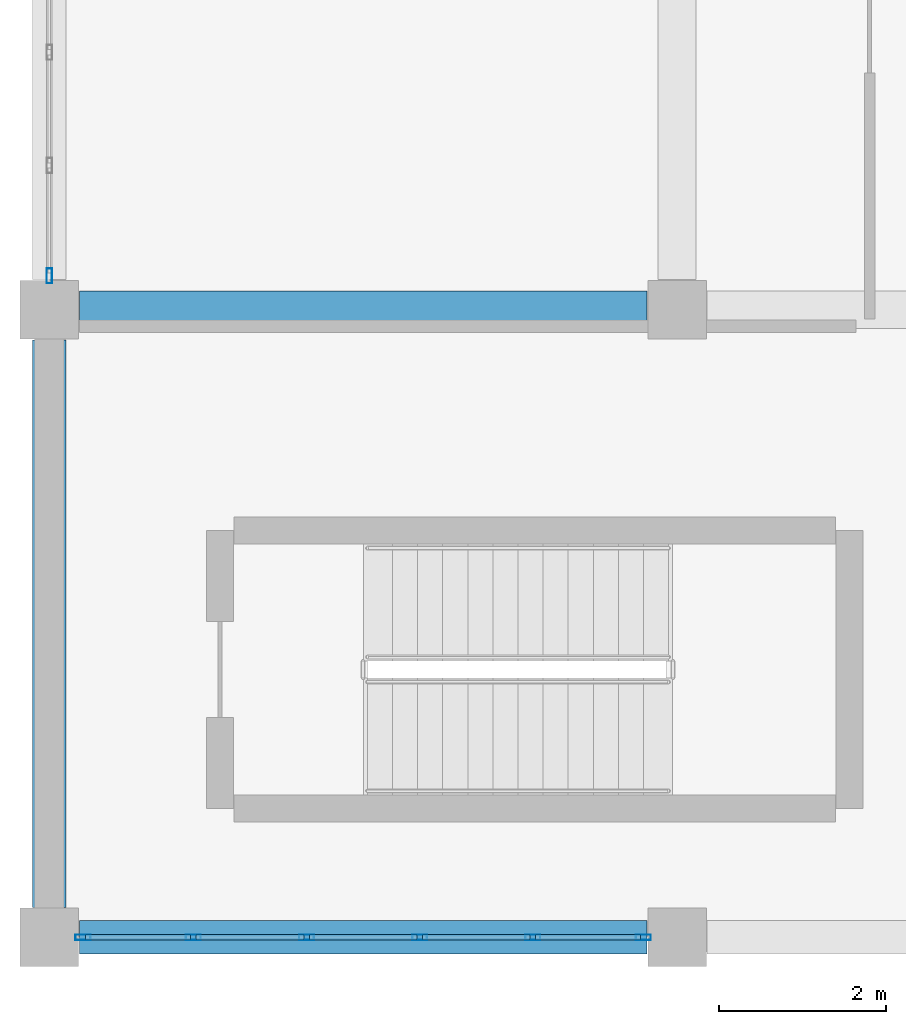
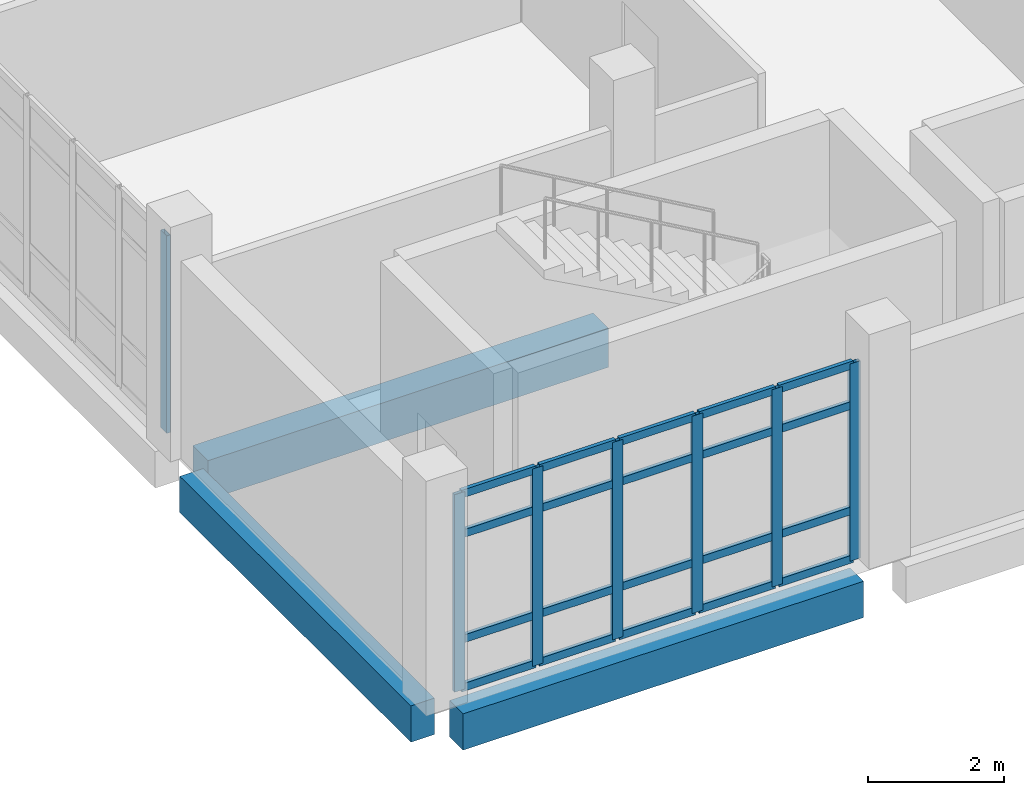
# One storey, part 14 of 164: 27 members, 3 beams, 2 elements without a shape of their own.
"""IFC4 building model written with IfcOpenShell, lengths in metres."""

from ifc_helpers import new_model, si_unit, direction, frame, origin, origin_2d, place, context, subcontext, project, spatial, rectangle, hollow_rectangle, extrude, material, layer, layer_set, material_profile, profile_set, type_object, element, aggregate, save


model = new_model("IFC4")

# Units and contexts
model_context = context("Model", 3, precision=1e-05, world=origin(), true_north=direction((0.0, 1.0)))
body_context = subcontext(model_context, "Body", "Model", "MODEL_VIEW")
ifc_project = project(units=[si_unit("LENGTHUNIT", "METRE"), si_unit("AREAUNIT", "SQUARE_METRE"), si_unit("VOLUMEUNIT", "CUBIC_METRE"), si_unit("PLANEANGLEUNIT", "RADIAN"), si_unit("MASSUNIT", "GRAM", prefix="KILO")], contexts=[model_context])

# Site, building, storey
site_placement = place(None, origin())
site = spatial("IfcSite", under=ifc_project, at=site_placement, CompositionType="ELEMENT")
building_placement = place(site_placement, origin())
building = spatial("IfcBuilding", under=site, at=building_placement, Name="Mawjan Specialist Oncology Clinic", CompositionType="ELEMENT")
storey_placement = place(building_placement, frame((0.0, 0.0, 5.0)))
storey = spatial("IfcBuildingStorey", under=building, at=storey_placement, Name="L01", CompositionType="ELEMENT", Elevation=5.0)

# Beam
ifc_material_1 = material(Name="Concrete C40/50", Category="concrete")
ifc_material_profile_1 = material_profile(ifc_material_1, rectangle(XDim=0.449951171875, YDim=0.699951171875, at=origin_2d()), Name="RC BM 450x700", Category="concrete")
ifc_profile_set_1 = profile_set([ifc_material_profile_1], Name="Concrete C40/50")
beam_type_1 = type_object("IfcBeamType", Name="BM-450x700", PredefinedType="BEAM", material=ifc_profile_set_1)
beam_1_placement = place(storey_placement, frame((0.360107421875, 8.300048828125, -0.64990234375), z_axis=(1.0, 0.0, 0.0), x_axis=(0.0, 1.0, 0.0)))
element("IfcBeam", 1, at=beam_1_placement, inside=storey, type_object=beam_type_1, Name="L01 Collector Beam BM-L01-0231", PredefinedType="BEAM", context=body_context, shape_type="SweptSolid", body=[
    extrude(rectangle(XDim=0.449951171875, YDim=0.699951171875, at=origin_2d()), origin(), (0.0, 0.0, 1.0), 6.77978515625),
])

# Curtain wall, members
ifc_material_2 = material(Name="Unitised spectrally selective aluminium curtain wall", Category="aluminium")
ifc_layer = layer(ifc_material_2, 0.179931640625, Name="Unitised spectrally selective aluminium curtain wall", Category="aluminium")
ifc_layer_set = layer_set([ifc_layer], Name="Unitised spectrally selective aluminium curtain wall")
curtain_wall_type = type_object("IfcCurtainWallType", Name="CW-73", PredefinedType="NOTDEFINED", material=ifc_layer_set)
curtain_wall_1_placement = place(storey_placement, origin())
curtain_wall_1 = element("IfcCurtainWall", 2, at=curtain_wall_1_placement, inside=storey, type_object=curtain_wall_type, Name="L01 Unitised Curtain Wall CW-L01-144", PredefinedType="NOTDEFINED")
ifc_material_3 = material(Name="Thermally broken aluminium 6063-T6", Category="aluminium")
ifc_material_profile_2 = material_profile(ifc_material_3, hollow_rectangle(XDim=0.06494140625, YDim=0.179931640625, WallThickness=0.00390625, at=origin_2d()), Name="ALU MULLION 180x65x4", Category="aluminium")
ifc_profile_set_2 = profile_set([ifc_material_profile_2], Name="Thermally broken aluminium 6063-T6")
member_type_1 = type_object("IfcMemberType", Name="CW-M180", PredefinedType="MULLION", material=ifc_profile_set_2)
member_1_placement = place(storey_placement, frame((7.097412109375, 0.800048828125, 0.0), z_axis=(0.0, 0.0, 1.0), x_axis=(0.0, -1.0, 0.0)))
member_1 = element("IfcMember", 3, at=member_1_placement, type_object=member_type_1, Name="CW-73 mullion 1", PredefinedType="MULLION", context=body_context, shape_type="SweptSolid", body=[
    extrude(hollow_rectangle(XDim=0.06494140625, YDim=0.179931640625, WallThickness=0.00390625, at=origin_2d()), origin(), (0.0, 0.0, 1.0), 3.534912109375),
])
member_2_placement = place(storey_placement, frame((5.778076171875, 0.800048828125, 0.0), z_axis=(0.0, 0.0, 1.0), x_axis=(0.0, -1.0, 0.0)))
member_2 = element("IfcMember", 4, at=member_2_placement, type_object=member_type_1, Name="CW-73 mullion 2", PredefinedType="MULLION", context=body_context, shape_type="SweptSolid", body=[
    extrude(hollow_rectangle(XDim=0.06494140625, YDim=0.179931640625, WallThickness=0.00390625, at=origin_2d()), origin(), (0.0, 0.0, 1.0), 3.534912109375),
])
member_3_placement = place(storey_placement, frame((4.426025390625, 0.800048828125, 0.0), z_axis=(0.0, 0.0, 1.0), x_axis=(0.0, -1.0, 0.0)))
member_3 = element("IfcMember", 5, at=member_3_placement, type_object=member_type_1, Name="CW-73 mullion 3", PredefinedType="MULLION", context=body_context, shape_type="SweptSolid", body=[
    extrude(hollow_rectangle(XDim=0.06494140625, YDim=0.179931640625, WallThickness=0.00390625, at=origin_2d()), origin(), (0.0, 0.0, 1.0), 3.534912109375),
])
member_4_placement = place(storey_placement, frame((3.073974609375, 0.800048828125, 0.0), z_axis=(0.0, 0.0, 1.0), x_axis=(0.0, -1.0, 0.0)))
member_4 = element("IfcMember", 6, at=member_4_placement, type_object=member_type_1, Name="CW-73 mullion 4", PredefinedType="MULLION", context=body_context, shape_type="SweptSolid", body=[
    extrude(hollow_rectangle(XDim=0.06494140625, YDim=0.179931640625, WallThickness=0.00390625, at=origin_2d()), origin(), (0.0, 0.0, 1.0), 3.534912109375),
])
member_5_placement = place(storey_placement, frame((1.721923828125, 0.800048828125, 0.0), z_axis=(0.0, 0.0, 1.0), x_axis=(0.0, -1.0, 0.0)))
member_5 = element("IfcMember", 7, at=member_5_placement, type_object=member_type_1, Name="CW-73 mullion 5", PredefinedType="MULLION", context=body_context, shape_type="SweptSolid", body=[
    extrude(hollow_rectangle(XDim=0.06494140625, YDim=0.179931640625, WallThickness=0.00390625, at=origin_2d()), origin(), (0.0, 0.0, 1.0), 3.534912109375),
])
member_6_placement = place(storey_placement, frame((0.402587890625, 0.800048828125, 0.0), z_axis=(0.0, 0.0, 1.0), x_axis=(0.0, -1.0, 0.0)))
member_6 = element("IfcMember", 8, at=member_6_placement, type_object=member_type_1, Name="CW-73 mullion 6", PredefinedType="MULLION", context=body_context, shape_type="SweptSolid", body=[
    extrude(hollow_rectangle(XDim=0.06494140625, YDim=0.179931640625, WallThickness=0.00390625, at=origin_2d()), origin(), (0.0, 0.0, 1.0), 3.534912109375),
])

# Curtain wall, member
curtain_wall_2_placement = place(storey_placement, origin())
curtain_wall_2 = element("IfcCurtainWall", 9, at=curtain_wall_2_placement, inside=storey, type_object=curtain_wall_type, Name="L01 Unitised Curtain Wall CW-L01-145", PredefinedType="NOTDEFINED")
member_7_placement = place(storey_placement, frame((0.0, 8.702392578125, 0.0), z_axis=(0.0, 0.0, 1.0), x_axis=(-1.0, 0.0, 0.0)))
member_7 = element("IfcMember", 10, at=member_7_placement, type_object=member_type_1, Name="CW-73 mullion 1", PredefinedType="MULLION", context=body_context, shape_type="SweptSolid", body=[
    extrude(hollow_rectangle(XDim=0.06494140625, YDim=0.179931640625, WallThickness=0.00390625, at=origin_2d()), origin(), (0.0, 0.0, 1.0), 3.534912109375),
])
aggregate(curtain_wall_2, [member_7])

# Member
ifc_material_4 = material(Name="Thermally broken aluminium 6063-T6", Category="aluminium")
ifc_material_profile_3 = material_profile(ifc_material_4, hollow_rectangle(XDim=0.06494140625, YDim=0.139892578125, WallThickness=0.00390625, at=origin_2d()), Name="ALU TRANSOM 140x65x4", Category="aluminium")
ifc_profile_set_3 = profile_set([ifc_material_profile_3], Name="Thermally broken aluminium 6063-T6")
member_type_2 = type_object("IfcMemberType", Name="CW-T140", PredefinedType="USERDEFINED", material=ifc_profile_set_3)
member_8_placement = place(storey_placement, frame((7.06494140625, 0.800048828125, 0.032470703125), z_axis=(-1.0, 0.0, 0.0), x_axis=(0.0, -1.0, 0.0)))
member_8 = element("IfcMember", 11, at=member_8_placement, type_object=member_type_2, Name="CW-73 transom 1.1", ObjectType="TRANSOM", PredefinedType="USERDEFINED", context=body_context, shape_type="SweptSolid", body=[
    extrude(hollow_rectangle(XDim=0.06494140625, YDim=0.139892578125, WallThickness=0.00390625, at=origin_2d()), origin(), (0.0, 0.0, 1.0), 1.25439453125),
])

member_9_placement = place(storey_placement, frame((7.06494140625, 0.800048828125, 0.89990234375), z_axis=(-1.0, 0.0, 0.0), x_axis=(0.0, -1.0, 0.0)))
member_9 = element("IfcMember", 12, at=member_9_placement, type_object=member_type_2, Name="CW-73 transom 1.2", ObjectType="TRANSOM", PredefinedType="USERDEFINED", context=body_context, shape_type="SweptSolid", body=[
    extrude(hollow_rectangle(XDim=0.06494140625, YDim=0.139892578125, WallThickness=0.00390625, at=origin_2d()), origin(), (0.0, 0.0, 1.0), 1.25439453125),
])

member_10_placement = place(storey_placement, frame((7.06494140625, 0.800048828125, 2.784912109375), z_axis=(-1.0, 0.0, 0.0), x_axis=(0.0, -1.0, 0.0)))
member_10 = element("IfcMember", 13, at=member_10_placement, type_object=member_type_2, Name="CW-73 transom 1.3", ObjectType="TRANSOM", PredefinedType="USERDEFINED", context=body_context, shape_type="SweptSolid", body=[
    extrude(hollow_rectangle(XDim=0.06494140625, YDim=0.139892578125, WallThickness=0.00390625, at=origin_2d()), origin(), (0.0, 0.0, 1.0), 1.25439453125),
])

member_11_placement = place(storey_placement, frame((7.06494140625, 0.800048828125, 3.50244140625), z_axis=(-1.0, 0.0, 0.0), x_axis=(0.0, -1.0, 0.0)))
member_11 = element("IfcMember", 14, at=member_11_placement, type_object=member_type_2, Name="CW-73 transom 1.4", ObjectType="TRANSOM", PredefinedType="USERDEFINED", context=body_context, shape_type="SweptSolid", body=[
    extrude(hollow_rectangle(XDim=0.06494140625, YDim=0.139892578125, WallThickness=0.00390625, at=origin_2d()), origin(), (0.0, 0.0, 1.0), 1.25439453125),
])

member_12_placement = place(storey_placement, frame((5.74560546875, 0.800048828125, 0.032470703125), z_axis=(-1.0, 0.0, 0.0), x_axis=(0.0, -1.0, 0.0)))
member_12 = element("IfcMember", 15, at=member_12_placement, type_object=member_type_2, Name="CW-73 transom 2.1", ObjectType="TRANSOM", PredefinedType="USERDEFINED", context=body_context, shape_type="SweptSolid", body=[
    extrude(hollow_rectangle(XDim=0.06494140625, YDim=0.139892578125, WallThickness=0.00390625, at=origin_2d()), origin(), (0.0, 0.0, 1.0), 1.287109375),
])

member_13_placement = place(storey_placement, frame((5.74560546875, 0.800048828125, 0.89990234375), z_axis=(-1.0, 0.0, 0.0), x_axis=(0.0, -1.0, 0.0)))
member_13 = element("IfcMember", 16, at=member_13_placement, type_object=member_type_2, Name="CW-73 transom 2.2", ObjectType="TRANSOM", PredefinedType="USERDEFINED", context=body_context, shape_type="SweptSolid", body=[
    extrude(hollow_rectangle(XDim=0.06494140625, YDim=0.139892578125, WallThickness=0.00390625, at=origin_2d()), origin(), (0.0, 0.0, 1.0), 1.287109375),
])

member_14_placement = place(storey_placement, frame((5.74560546875, 0.800048828125, 2.784912109375), z_axis=(-1.0, 0.0, 0.0), x_axis=(0.0, -1.0, 0.0)))
member_14 = element("IfcMember", 17, at=member_14_placement, type_object=member_type_2, Name="CW-73 transom 2.3", ObjectType="TRANSOM", PredefinedType="USERDEFINED", context=body_context, shape_type="SweptSolid", body=[
    extrude(hollow_rectangle(XDim=0.06494140625, YDim=0.139892578125, WallThickness=0.00390625, at=origin_2d()), origin(), (0.0, 0.0, 1.0), 1.287109375),
])

member_15_placement = place(storey_placement, frame((5.74560546875, 0.800048828125, 3.50244140625), z_axis=(-1.0, 0.0, 0.0), x_axis=(0.0, -1.0, 0.0)))
member_15 = element("IfcMember", 18, at=member_15_placement, type_object=member_type_2, Name="CW-73 transom 2.4", ObjectType="TRANSOM", PredefinedType="USERDEFINED", context=body_context, shape_type="SweptSolid", body=[
    extrude(hollow_rectangle(XDim=0.06494140625, YDim=0.139892578125, WallThickness=0.00390625, at=origin_2d()), origin(), (0.0, 0.0, 1.0), 1.287109375),
])

member_16_placement = place(storey_placement, frame((4.3935546875, 0.800048828125, 0.032470703125), z_axis=(-1.0, 0.0, 0.0), x_axis=(0.0, -1.0, 0.0)))
member_16 = element("IfcMember", 19, at=member_16_placement, type_object=member_type_2, Name="CW-73 transom 3.1", ObjectType="TRANSOM", PredefinedType="USERDEFINED", context=body_context, shape_type="SweptSolid", body=[
    extrude(hollow_rectangle(XDim=0.06494140625, YDim=0.139892578125, WallThickness=0.00390625, at=origin_2d()), origin(), (0.0, 0.0, 1.0), 1.287109375),
])

member_17_placement = place(storey_placement, frame((4.3935546875, 0.800048828125, 0.89990234375), z_axis=(-1.0, 0.0, 0.0), x_axis=(0.0, -1.0, 0.0)))
member_17 = element("IfcMember", 20, at=member_17_placement, type_object=member_type_2, Name="CW-73 transom 3.2", ObjectType="TRANSOM", PredefinedType="USERDEFINED", context=body_context, shape_type="SweptSolid", body=[
    extrude(hollow_rectangle(XDim=0.06494140625, YDim=0.139892578125, WallThickness=0.00390625, at=origin_2d()), origin(), (0.0, 0.0, 1.0), 1.287109375),
])

member_18_placement = place(storey_placement, frame((4.3935546875, 0.800048828125, 2.784912109375), z_axis=(-1.0, 0.0, 0.0), x_axis=(0.0, -1.0, 0.0)))
member_18 = element("IfcMember", 21, at=member_18_placement, type_object=member_type_2, Name="CW-73 transom 3.3", ObjectType="TRANSOM", PredefinedType="USERDEFINED", context=body_context, shape_type="SweptSolid", body=[
    extrude(hollow_rectangle(XDim=0.06494140625, YDim=0.139892578125, WallThickness=0.00390625, at=origin_2d()), origin(), (0.0, 0.0, 1.0), 1.287109375),
])

member_19_placement = place(storey_placement, frame((4.3935546875, 0.800048828125, 3.50244140625), z_axis=(-1.0, 0.0, 0.0), x_axis=(0.0, -1.0, 0.0)))
member_19 = element("IfcMember", 22, at=member_19_placement, type_object=member_type_2, Name="CW-73 transom 3.4", ObjectType="TRANSOM", PredefinedType="USERDEFINED", context=body_context, shape_type="SweptSolid", body=[
    extrude(hollow_rectangle(XDim=0.06494140625, YDim=0.139892578125, WallThickness=0.00390625, at=origin_2d()), origin(), (0.0, 0.0, 1.0), 1.287109375),
])

member_20_placement = place(storey_placement, frame((3.04150390625, 0.800048828125, 0.032470703125), z_axis=(-1.0, 0.0, 0.0), x_axis=(0.0, -1.0, 0.0)))
member_20 = element("IfcMember", 23, at=member_20_placement, type_object=member_type_2, Name="CW-73 transom 4.1", ObjectType="TRANSOM", PredefinedType="USERDEFINED", context=body_context, shape_type="SweptSolid", body=[
    extrude(hollow_rectangle(XDim=0.06494140625, YDim=0.139892578125, WallThickness=0.00390625, at=origin_2d()), origin(), (0.0, 0.0, 1.0), 1.287109375),
])

member_21_placement = place(storey_placement, frame((3.04150390625, 0.800048828125, 0.89990234375), z_axis=(-1.0, 0.0, 0.0), x_axis=(0.0, -1.0, 0.0)))
member_21 = element("IfcMember", 24, at=member_21_placement, type_object=member_type_2, Name="CW-73 transom 4.2", ObjectType="TRANSOM", PredefinedType="USERDEFINED", context=body_context, shape_type="SweptSolid", body=[
    extrude(hollow_rectangle(XDim=0.06494140625, YDim=0.139892578125, WallThickness=0.00390625, at=origin_2d()), origin(), (0.0, 0.0, 1.0), 1.287109375),
])

member_22_placement = place(storey_placement, frame((3.04150390625, 0.800048828125, 2.784912109375), z_axis=(-1.0, 0.0, 0.0), x_axis=(0.0, -1.0, 0.0)))
member_22 = element("IfcMember", 25, at=member_22_placement, type_object=member_type_2, Name="CW-73 transom 4.3", ObjectType="TRANSOM", PredefinedType="USERDEFINED", context=body_context, shape_type="SweptSolid", body=[
    extrude(hollow_rectangle(XDim=0.06494140625, YDim=0.139892578125, WallThickness=0.00390625, at=origin_2d()), origin(), (0.0, 0.0, 1.0), 1.287109375),
])

member_23_placement = place(storey_placement, frame((3.04150390625, 0.800048828125, 3.50244140625), z_axis=(-1.0, 0.0, 0.0), x_axis=(0.0, -1.0, 0.0)))
member_23 = element("IfcMember", 26, at=member_23_placement, type_object=member_type_2, Name="CW-73 transom 4.4", ObjectType="TRANSOM", PredefinedType="USERDEFINED", context=body_context, shape_type="SweptSolid", body=[
    extrude(hollow_rectangle(XDim=0.06494140625, YDim=0.139892578125, WallThickness=0.00390625, at=origin_2d()), origin(), (0.0, 0.0, 1.0), 1.287109375),
])

member_24_placement = place(storey_placement, frame((1.689453125, 0.800048828125, 0.032470703125), z_axis=(-1.0, 0.0, 0.0), x_axis=(0.0, -1.0, 0.0)))
member_24 = element("IfcMember", 27, at=member_24_placement, type_object=member_type_2, Name="CW-73 transom 5.1", ObjectType="TRANSOM", PredefinedType="USERDEFINED", context=body_context, shape_type="SweptSolid", body=[
    extrude(hollow_rectangle(XDim=0.06494140625, YDim=0.139892578125, WallThickness=0.00390625, at=origin_2d()), origin(), (0.0, 0.0, 1.0), 1.25439453125),
])

member_25_placement = place(storey_placement, frame((1.689453125, 0.800048828125, 0.89990234375), z_axis=(-1.0, 0.0, 0.0), x_axis=(0.0, -1.0, 0.0)))
member_25 = element("IfcMember", 28, at=member_25_placement, type_object=member_type_2, Name="CW-73 transom 5.2", ObjectType="TRANSOM", PredefinedType="USERDEFINED", context=body_context, shape_type="SweptSolid", body=[
    extrude(hollow_rectangle(XDim=0.06494140625, YDim=0.139892578125, WallThickness=0.00390625, at=origin_2d()), origin(), (0.0, 0.0, 1.0), 1.25439453125),
])

member_26_placement = place(storey_placement, frame((1.689453125, 0.800048828125, 2.784912109375), z_axis=(-1.0, 0.0, 0.0), x_axis=(0.0, -1.0, 0.0)))
member_26 = element("IfcMember", 29, at=member_26_placement, type_object=member_type_2, Name="CW-73 transom 5.3", ObjectType="TRANSOM", PredefinedType="USERDEFINED", context=body_context, shape_type="SweptSolid", body=[
    extrude(hollow_rectangle(XDim=0.06494140625, YDim=0.139892578125, WallThickness=0.00390625, at=origin_2d()), origin(), (0.0, 0.0, 1.0), 1.25439453125),
])

member_27_placement = place(storey_placement, frame((1.689453125, 0.800048828125, 3.50244140625), z_axis=(-1.0, 0.0, 0.0), x_axis=(0.0, -1.0, 0.0)))
member_27 = element("IfcMember", 30, at=member_27_placement, type_object=member_type_2, Name="CW-73 transom 5.4", ObjectType="TRANSOM", PredefinedType="USERDEFINED", context=body_context, shape_type="SweptSolid", body=[
    extrude(hollow_rectangle(XDim=0.06494140625, YDim=0.139892578125, WallThickness=0.00390625, at=origin_2d()), origin(), (0.0, 0.0, 1.0), 1.25439453125),
])

aggregate(curtain_wall_1, [member_1, member_2, member_3, member_4, member_5, member_6, member_8, member_9, member_10, member_11, member_12, member_13, member_14, member_15, member_16, member_17, member_18, member_19, member_20, member_21, member_22, member_23, member_24, member_25, member_26, member_27])

# Beams
ifc_material_5 = material(Name="Concrete C45/55", Category="concrete")
ifc_material_profile_4 = material_profile(ifc_material_5, rectangle(XDim=0.39990234375, YDim=0.64990234375, at=origin_2d()), Name="RC BM 400x650", Category="concrete")
ifc_profile_set_4 = profile_set([ifc_material_profile_4], Name="Concrete C45/55")
beam_type_2 = type_object("IfcBeamType", Name="SP-400x650", PredefinedType="SPANDREL", material=ifc_profile_set_4)
beam_2_placement = place(storey_placement, frame((0.360107421875, 0.800048828125, -0.625), z_axis=(1.0, 0.0, 0.0), x_axis=(0.0, 1.0, 0.0)))
element("IfcBeam", 31, at=beam_2_placement, inside=storey, type_object=beam_type_2, Name="L01 Spandrel Beam BM-L01-0225", PredefinedType="SPANDREL", context=body_context, shape_type="SweptSolid", body=[
    extrude(rectangle(XDim=0.39990234375, YDim=0.64990234375, at=origin_2d()), origin(), (0.0, 0.0, 1.0), 6.77978515625),
])
beam_3_placement = place(storey_placement, frame((0.0, 1.159912109375, -0.625), z_axis=(0.0, 1.0, 0.0), x_axis=(-1.0, 0.0, 0.0)))
element("IfcBeam", 32, at=beam_3_placement, inside=storey, type_object=beam_type_2, Name="L01 Spandrel Beam BM-L01-0418", PredefinedType="SPANDREL", context=body_context, shape_type="SweptSolid", body=[
    extrude(rectangle(XDim=0.39990234375, YDim=0.64990234375, at=origin_2d()), origin(), (0.0, 0.0, 1.0), 6.780029296875),
])

save(model, "model.ifc")
